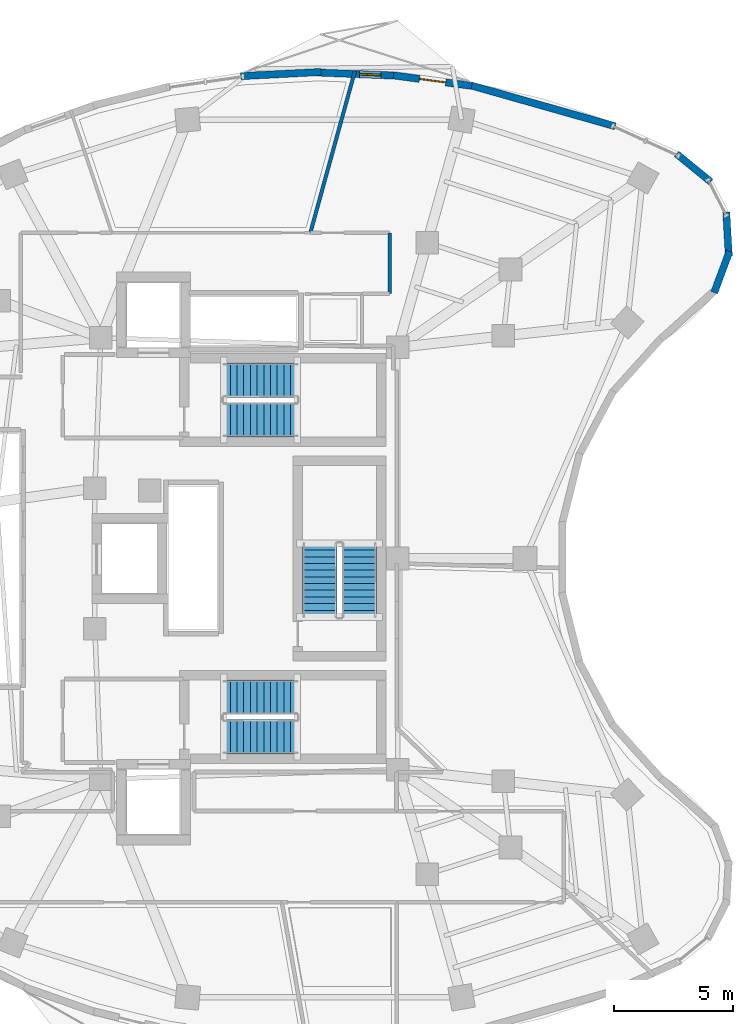
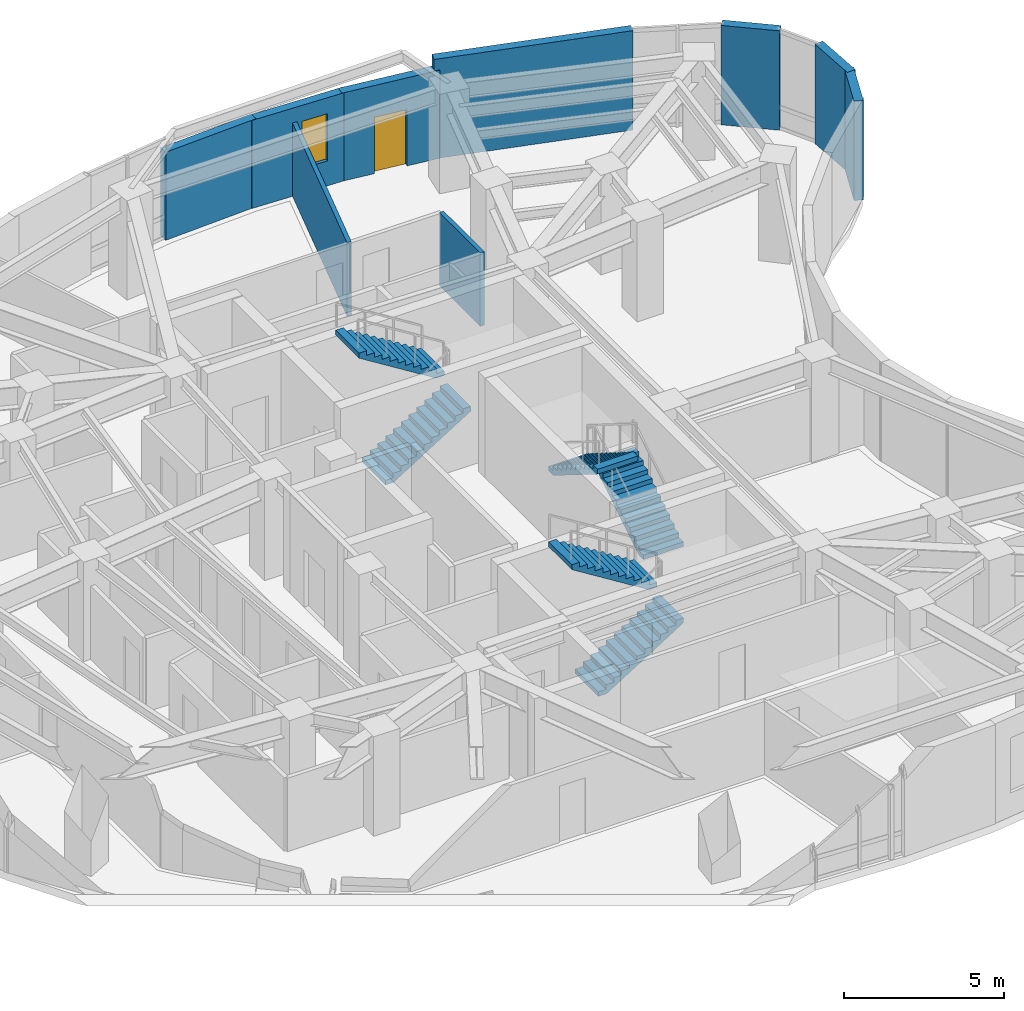
# One storey, part 10 of 13: 9 walls, 6 stair flights, 1 door, 1 window, 2 openings, 3 elements without a shape of their own.
"""IFC4 building model written with IfcOpenShell, lengths in metres."""

from ifc_helpers import new_model, si_unit, direction, frame, frame_2d, origin, place, context, subcontext, project, spatial, polyline, rectangle, outline, extrude, material, layer, layer_set, type_object, element, fill, aggregate, save


model = new_model("IFC4")

# Units and contexts
model_context = context("Model", 3, precision=1e-05, world=origin(), true_north=direction((0.0, 1.0)))
body_context = subcontext(model_context, "Body", "Model", "MODEL_VIEW")
ifc_project = project(units=[si_unit("LENGTHUNIT", "METRE"), si_unit("AREAUNIT", "SQUARE_METRE"), si_unit("VOLUMEUNIT", "CUBIC_METRE"), si_unit("PLANEANGLEUNIT", "RADIAN"), si_unit("MASSUNIT", "GRAM", prefix="KILO")], contexts=[model_context])

# Site, building, storey
site_placement = place(None, origin())
site = spatial("IfcSite", under=ifc_project, at=site_placement, CompositionType="ELEMENT")
building_placement = place(site_placement, origin())
building = spatial("IfcBuilding", under=site, at=building_placement, Name="Korentha Bioscience Tower", CompositionType="ELEMENT")
storey_placement = place(building_placement, frame((0.0, 0.0, 162.60009765625)))
storey = spatial("IfcBuildingStorey", under=building, at=storey_placement, Name="L37", CompositionType="ELEMENT", Elevation=162.60009765625)

# Walls
ifc_material_1 = material(Name="Double-Stud Acoustic Gypsum", Category="gypsum")
ifc_layer_1 = layer(ifc_material_1, 0.14990234375, Name="Double-Stud Acoustic Gypsum")
ifc_layer_set_1 = layer_set([ifc_layer_1], Name="Double-Stud Acoustic Gypsum (IW-L150)")
wall_type_1 = type_object("IfcWallType", Name="Acoustic Laboratory Partition Wall 150", PredefinedType="PARTITIONING", material=ifc_layer_set_1)
wall_1_placement = place(storey_placement, frame((37.2099609375, 38.10009765625, 0.0), z_axis=(0.0, 0.0, 1.0), x_axis=(0.0, 1.0, 0.0)))
element("IfcWall", 1, at=wall_1_placement, inside=storey, type_object=wall_type_1, Name="L37 Interior Partition 058", PredefinedType="PARTITIONING", context=body_context, shape_type="SweptSolid", body=[
    extrude(rectangle(XDim=2.5498046875, YDim=0.14990234375, at=frame_2d((1.27490234375, 0.0))), origin(), (0.0, 0.0, 1.0), 2.7998046875),
])
wall_2_placement = place(storey_placement, frame((33.885009765625, 40.659912109375, 0.0), z_axis=(0.0, 0.0, 1.0), x_axis=(0.26554760057, 0.964097750143, 0.0)))
element("IfcWall", 2, at=wall_2_placement, inside=storey, type_object=wall_type_1, Name="L37 Interior Partition 059", PredefinedType="PARTITIONING", context=body_context, shape_type="SweptSolid", body=[
    extrude(rectangle(XDim=7.0361328125, YDim=0.14990234375, at=frame_2d((3.51806640625, 0.0))), origin(), (0.0, 0.0, 1.0), 2.7998046875),
])

# Wall, opening, door
ifc_material_2 = material(Name="Honed Limestone Precast Concrete C40", Category="masonry")
ifc_layer_2 = layer(ifc_material_2, 0.300048828125, Name="Honed Limestone Precast Concrete C40")
ifc_layer_set_2 = layer_set([ifc_layer_2], Name="Honed Limestone Precast Concrete C40 (EW-ST300)")
wall_type_2 = type_object("IfcWallType", Name="Honed Limestone Cavity Spandrel Wall 300", PredefinedType="STANDARD", material=ifc_layer_set_2)
wall_3_placement = place(storey_placement, frame((40.646484375, 46.81201171875, 0.0), z_axis=(0.0, 0.0, 1.0), x_axis=(-0.991139436205, 0.132825517122, 0.0)))
wall_3 = element("IfcWall", 3, at=wall_3_placement, inside=storey, type_object=wall_type_2, Name="L37 Balcony Threshold Wall 01", PredefinedType="STANDARD", context=body_context, shape_type="SweptSolid", body=[
    extrude(rectangle(XDim=3.310302734375, YDim=0.300048828125, at=frame_2d((1.6552734375, 0.0))), origin(), (0.0, 0.0, 1.0), 3.35986328125),
])
opening_1_placement = place(wall_3_placement, frame((1.105224609375, 0.0, 0.0)))
opening_1 = element("IfcOpeningElement", 4, at=opening_1_placement, cuts=wall_3, Name="Opening BD-11L", PredefinedType="OPENING", context=body_context, shape_type="SweptSolid", body=[
    extrude(rectangle(XDim=1.10009765625, YDim=2.14990234375, at=frame_2d((0.550048828125, 1.074951171875))), frame((0.0, 0.1650390625, 0.0), z_axis=(0.0, -1.0, 0.0), x_axis=(1.0, 0.0, 0.0)), (0.0, 0.0, 1.0), 0.329833984375),
])
ifc_material_3 = material(Name="Thermally Broken Glazed Aluminium", Category="aluminium")
door_type = type_object("IfcDoorType", Name="Balcony Terrace Glazed Door 1100x2150 Left", OperationType="SINGLE_SWING_LEFT", PredefinedType="DOOR", material=ifc_material_3)
door_placement = place(opening_1_placement, origin())
door = element("IfcDoor", 5, at=door_placement, inside=storey, type_object=door_type, Name="L37 Balcony Access Door 01", OperationType="SINGLE_SWING_LEFT", OverallHeight=2.14990234375, OverallWidth=1.10009765625, PredefinedType="DOOR", context=body_context, shape_type="SweptSolid", body=[
    extrude(rectangle(XDim=1.10009765625, YDim=2.14990234375, at=frame_2d((0.550048828125, 1.074951171875))), frame((0.0, 0.02490234375, 0.0), z_axis=(0.0, -1.0, 0.0), x_axis=(1.0, 0.0, 0.0)), (0.0, 0.0, 1.0), 0.050048828125),
])
fill(opening_1, door)

# Wall, opening, window
wall_4_placement = place(storey_placement, frame((37.499755859375, 47.239990234375, 0.0), z_axis=(0.0, 0.0, 1.0), x_axis=(-0.999191674443, 0.040199474165, 0.0)))
wall_4 = element("IfcWall", 6, at=wall_4_placement, inside=storey, type_object=wall_type_2, Name="L37 Honed Limestone Spandrel Wall 05", PredefinedType="STANDARD", context=body_context, shape_type="SweptSolid", body=[
    extrude(rectangle(XDim=3.328125, YDim=0.300048828125, at=frame_2d((1.6640625, 0.0))), origin(), (0.0, 0.0, 1.0), 3.35986328125),
])
opening_2_placement = place(wall_4_placement, frame((0.6533203125, 0.0, 0.949951171875)))
opening_2 = element("IfcOpeningElement", 7, at=opening_2_placement, cuts=wall_4, Name="Opening WN-05", PredefinedType="OPENING", context=body_context, shape_type="SweptSolid", body=[
    extrude(rectangle(XDim=0.89990234375, YDim=1.800048828125, at=frame_2d((0.449951171875, 0.89990234375))), frame((0.0, 0.1650390625, 0.0), z_axis=(0.0, -1.0, 0.0), x_axis=(1.0, 0.0, 0.0)), (0.0, 0.0, 1.0), 0.329833984375),
])
ifc_material_4 = material(Name="Thermally Broken Aluminium Triple Glazing", Category="aluminium")
window_type = type_object("IfcWindowType", Name="Narrow Bioscience Pier Window 900x1800", PartitioningType="SINGLE_PANEL", PredefinedType="WINDOW", material=ifc_material_4)
window_placement = place(opening_2_placement, origin())
window = element("IfcWindow", 8, at=window_placement, inside=storey, type_object=window_type, Name="L37 Facade Window 05", OverallHeight=1.800048828125, OverallWidth=0.89990234375, PartitioningType="SINGLE_PANEL", PredefinedType="WINDOW", context=body_context, shape_type="SweptSolid", body=[
    extrude(rectangle(XDim=0.89990234375, YDim=1.800048828125, at=frame_2d((0.449951171875, 0.89990234375))), frame((0.0, 0.030029296875, 0.0), z_axis=(0.0, -1.0, 0.0), x_axis=(1.0, 0.0, 0.0)), (0.0, 0.0, 1.0), 0.06005859375),
])
fill(opening_2, window)

# Walls
wall_5_placement = place(storey_placement, frame((46.659912109375, 45.119384765625, 0.0), z_axis=(0.0, 0.0, 1.0), x_axis=(-0.962163849422, 0.272471515694, 0.0)))
element("IfcWall", 9, at=wall_5_placement, inside=storey, type_object=wall_type_2, Name="L37 Limestone Perimeter Closure Wall 02", PredefinedType="STANDARD", context=body_context, shape_type="SweptSolid", body=[
    extrude(rectangle(XDim=6.4091796875, YDim=0.300048828125, at=frame_2d((3.20458984375, 0.0))), origin(), (0.0, 0.0, 1.0), 3.789794921875),
])
wall_6_placement = place(storey_placement, frame((34.327880859375, 47.395751953125, 0.0), z_axis=(0.0, 0.0, 1.0), x_axis=(-0.998639777298, -0.052140149581, 0.0)))
element("IfcWall", 10, at=wall_6_placement, inside=storey, type_object=wall_type_2, Name="L37 Limestone Perimeter Closure Wall 06", PredefinedType="STANDARD", context=body_context, shape_type="SweptSolid", body=[
    extrude(rectangle(XDim=3.36669921875, YDim=0.300048828125, at=frame_2d((1.683349609375, 0.0))), origin(), (0.0, 0.0, 1.0), 3.35986328125),
])
for number, where, z_axis, x_axis, name in (
    (11, (50.811279296875, 38.143310546875, 0.0), (0.0, 0.0, 1.0), (0.348984166898, 0.937128620443, 0.0), "L37 Limestone Perimeter Closure Wall 59"),
    (12, (51.425537109375, 39.6669921875, 0.0), (0.0, 0.0, 1.0), (-0.057485341891, 0.998346350455, 0.0), "L37 Limestone Perimeter Closure Wall 60"),
    (13, (50.668212890625, 42.7919921875, 0.0), (0.0, 0.0, 1.0), (-0.774174596654, 0.632972111467, 0.0), "L37 Limestone Perimeter Closure Wall 62"),
):
    element("IfcWall", number, at=place(storey_placement, frame(where, z_axis=z_axis, x_axis=x_axis)), inside=storey, type_object=wall_type_2, Name=name, PredefinedType="STANDARD", context=body_context, shape_type="SweptSolid", body=[
        extrude(rectangle(XDim=1.851806640625, YDim=0.300048828125, at=frame_2d((0.92578125, 0.0))), origin(), (0.0, 0.0, 1.0), 3.789794921875),
    ])

# Stair, stair flights
ifc_material_5 = material(Name="Precast Concrete C50", Category="concrete")
stair_type = type_object("IfcStairType", Name="Core Exit Dog-Leg Stair 1450", PredefinedType="HALF_TURN_STAIR", material=ifc_material_5)
stair_1_placement = place(storey_placement, origin())
stair_1 = element("IfcStair", 14, at=stair_1_placement, inside=storey, type_object=stair_type, Name="L37 Tower North Pressurized Exit Stair ST-1", PredefinedType="HALF_TURN_STAIR")
stair_flight_type = type_object("IfcStairFlightType", Name="Core Exit Dog-Leg Stair 1450 Flight", PredefinedType="STRAIGHT", material=ifc_material_5)
stair_flight_1_placement = place(storey_placement, frame((30.25, 32.824951171875, 0.0), z_axis=(0.0, 0.0, 1.0), x_axis=(1.0, 0.0, 0.0)))
stair_flight_1 = element("IfcStairFlight", 15, at=stair_flight_1_placement, type_object=stair_flight_type, Name="ST-1 flight 1", NumberOfRisers=12, NumberOfTreads=11, PredefinedType="STRAIGHT", RiserHeight=0.175, TreadLength=0.28, context=body_context, shape_type="SweptSolid", body=[
    extrude(outline(polyline([(0.0, 0.0), (0.0, 0.175048828125), (0.280029296875, 0.175048828125), (0.280029296875, 0.35009765625), (0.56005859375, 0.35009765625), (0.56005859375, 0.52490234375), (0.840087890625, 0.52490234375), (0.840087890625, 0.699951171875), (1.1201171875, 0.699951171875), (1.1201171875, 0.875), (1.39990234375, 0.875), (1.39990234375, 1.050048828125), (1.679931640625, 1.050048828125), (1.679931640625, 1.22509765625), (1.9599609375, 1.22509765625), (1.9599609375, 1.39990234375), (2.239990234375, 1.39990234375), (2.239990234375, 1.574951171875), (2.52001953125, 1.574951171875), (2.52001953125, 1.75), (2.800048828125, 1.75), (2.800048828125, 1.925048828125), (3.080078125, 1.925048828125), (3.080078125, 2.10009765625), (3.080078125, 1.736328125), (0.3017578125, 0.0), (0.0, 0.0)])), frame((0.0, 0.72509765625, 0.0), z_axis=(0.0, -1.0, 0.0), x_axis=(1.0, 0.0, 0.0)), (0.0, 0.0, 1.0), 1.449951171875),
])
stair_flight_2_placement = place(storey_placement, frame((33.330078125, 34.47509765625, 2.099853515625), z_axis=(0.0, 0.0, 1.0), x_axis=(-1.0, 0.0, 0.0)))
stair_flight_2 = element("IfcStairFlight", 16, at=stair_flight_2_placement, type_object=stair_flight_type, Name="ST-1 flight 2", NumberOfRisers=12, NumberOfTreads=11, PredefinedType="STRAIGHT", RiserHeight=0.175, TreadLength=0.28, context=body_context, shape_type="SweptSolid", body=[
    extrude(outline(polyline([(0.0, 0.0), (0.0, 0.175048828125), (0.280029296875, 0.175048828125), (0.280029296875, 0.35009765625), (0.56005859375, 0.35009765625), (0.56005859375, 0.52490234375), (0.840087890625, 0.52490234375), (0.840087890625, 0.699951171875), (1.1201171875, 0.699951171875), (1.1201171875, 0.875), (1.39990234375, 0.875), (1.39990234375, 1.050048828125), (1.679931640625, 1.050048828125), (1.679931640625, 1.22509765625), (1.9599609375, 1.22509765625), (1.9599609375, 1.39990234375), (2.239990234375, 1.39990234375), (2.239990234375, 1.574951171875), (2.52001953125, 1.574951171875), (2.52001953125, 1.75), (2.800048828125, 1.75), (2.800048828125, 1.925048828125), (3.080078125, 1.925048828125), (3.080078125, 2.10009765625), (3.080078125, 1.736328125), (0.3017578125, 0.0), (0.0, 0.0)])), frame((0.0, 0.72509765625, 0.0), z_axis=(0.0, -1.0, 0.0), x_axis=(1.0, 0.0, 0.0)), (0.0, 0.0, 1.0), 1.449951171875),
])
aggregate(stair_1, [stair_flight_1, stair_flight_2])

stair_2_placement = place(storey_placement, origin())
stair_2 = element("IfcStair", 17, at=stair_2_placement, inside=storey, type_object=stair_type, Name="L37 Tower South Pressurized Exit Stair ST-2", PredefinedType="HALF_TURN_STAIR")
stair_flight_3_placement = place(storey_placement, frame((30.25, 19.52490234375, 0.0), z_axis=(0.0, 0.0, 1.0), x_axis=(1.0, 0.0, 0.0)))
stair_flight_3 = element("IfcStairFlight", 18, at=stair_flight_3_placement, type_object=stair_flight_type, Name="ST-2 flight 1", NumberOfRisers=12, NumberOfTreads=11, PredefinedType="STRAIGHT", RiserHeight=0.175, TreadLength=0.28, context=body_context, shape_type="SweptSolid", body=[
    extrude(outline(polyline([(0.0, 0.0), (0.0, 0.175048828125), (0.280029296875, 0.175048828125), (0.280029296875, 0.35009765625), (0.56005859375, 0.35009765625), (0.56005859375, 0.52490234375), (0.840087890625, 0.52490234375), (0.840087890625, 0.699951171875), (1.1201171875, 0.699951171875), (1.1201171875, 0.875), (1.39990234375, 0.875), (1.39990234375, 1.050048828125), (1.679931640625, 1.050048828125), (1.679931640625, 1.22509765625), (1.9599609375, 1.22509765625), (1.9599609375, 1.39990234375), (2.239990234375, 1.39990234375), (2.239990234375, 1.574951171875), (2.52001953125, 1.574951171875), (2.52001953125, 1.75), (2.800048828125, 1.75), (2.800048828125, 1.925048828125), (3.080078125, 1.925048828125), (3.080078125, 2.10009765625), (3.080078125, 1.736328125), (0.3017578125, 0.0), (0.0, 0.0)])), frame((0.0, 0.72509765625, 0.0), z_axis=(0.0, -1.0, 0.0), x_axis=(1.0, 0.0, 0.0)), (0.0, 0.0, 1.0), 1.449951171875),
])
stair_flight_4_placement = place(storey_placement, frame((33.330078125, 21.175048828125, 2.099853515625), z_axis=(0.0, 0.0, 1.0), x_axis=(-1.0, 0.0, 0.0)))
stair_flight_4 = element("IfcStairFlight", 19, at=stair_flight_4_placement, type_object=stair_flight_type, Name="ST-2 flight 2", NumberOfRisers=12, NumberOfTreads=11, PredefinedType="STRAIGHT", RiserHeight=0.175, TreadLength=0.28, context=body_context, shape_type="SweptSolid", body=[
    extrude(outline(polyline([(0.0, 0.0), (0.0, 0.175048828125), (0.280029296875, 0.175048828125), (0.280029296875, 0.35009765625), (0.56005859375, 0.35009765625), (0.56005859375, 0.52490234375), (0.840087890625, 0.52490234375), (0.840087890625, 0.699951171875), (1.1201171875, 0.699951171875), (1.1201171875, 0.875), (1.39990234375, 0.875), (1.39990234375, 1.050048828125), (1.679931640625, 1.050048828125), (1.679931640625, 1.22509765625), (1.9599609375, 1.22509765625), (1.9599609375, 1.39990234375), (2.239990234375, 1.39990234375), (2.239990234375, 1.574951171875), (2.52001953125, 1.574951171875), (2.52001953125, 1.75), (2.800048828125, 1.75), (2.800048828125, 1.925048828125), (3.080078125, 1.925048828125), (3.080078125, 2.10009765625), (3.080078125, 1.736328125), (0.3017578125, 0.0), (0.0, 0.0)])), frame((0.0, 0.72509765625, 0.0), z_axis=(0.0, -1.0, 0.0), x_axis=(1.0, 0.0, 0.0)), (0.0, 0.0, 1.0), 1.449951171875),
])
aggregate(stair_2, [stair_flight_3, stair_flight_4])

stair_3_placement = place(storey_placement, origin())
stair_3 = element("IfcStair", 20, at=stair_3_placement, inside=storey, type_object=stair_type, Name="L37 Tower Central Pressurized Exit Stair ST-3", PredefinedType="HALF_TURN_STAIR")
stair_flight_5_placement = place(storey_placement, frame((35.925048828125, 24.550048828125, 0.0), z_axis=(0.0, 0.0, 1.0), x_axis=(0.0, 1.0, 0.0)))
stair_flight_5 = element("IfcStairFlight", 21, at=stair_flight_5_placement, type_object=stair_flight_type, Name="ST-3 flight 1", NumberOfRisers=12, NumberOfTreads=11, PredefinedType="STRAIGHT", RiserHeight=0.175, TreadLength=0.28, context=body_context, shape_type="SweptSolid", body=[
    extrude(outline(polyline([(0.0, 0.0), (0.0, 0.175048828125), (0.280029296875, 0.175048828125), (0.280029296875, 0.35009765625), (0.56005859375, 0.35009765625), (0.56005859375, 0.52490234375), (0.840087890625, 0.52490234375), (0.840087890625, 0.699951171875), (1.1201171875, 0.699951171875), (1.1201171875, 0.875), (1.39990234375, 0.875), (1.39990234375, 1.050048828125), (1.679931640625, 1.050048828125), (1.679931640625, 1.22509765625), (1.9599609375, 1.22509765625), (1.9599609375, 1.39990234375), (2.239990234375, 1.39990234375), (2.239990234375, 1.574951171875), (2.52001953125, 1.574951171875), (2.52001953125, 1.75), (2.800048828125, 1.75), (2.800048828125, 1.925048828125), (3.080078125, 1.925048828125), (3.080078125, 2.10009765625), (3.080078125, 1.736328125), (0.3017578125, 0.0), (0.0, 0.0)])), frame((0.0, 0.72509765625, 0.0), z_axis=(0.0, -1.0, 0.0), x_axis=(1.0, 0.0, 0.0)), (0.0, 0.0, 1.0), 1.449951171875),
])
stair_flight_6_placement = place(storey_placement, frame((34.27490234375, 27.6298828125, 2.099853515625), z_axis=(0.0, 0.0, 1.0), x_axis=(0.0, -1.0, 0.0)))
stair_flight_6 = element("IfcStairFlight", 22, at=stair_flight_6_placement, type_object=stair_flight_type, Name="ST-3 flight 2", NumberOfRisers=12, NumberOfTreads=11, PredefinedType="STRAIGHT", RiserHeight=0.175, TreadLength=0.28, context=body_context, shape_type="SweptSolid", body=[
    extrude(outline(polyline([(0.0, 0.0), (0.0, 0.175048828125), (0.280029296875, 0.175048828125), (0.280029296875, 0.35009765625), (0.56005859375, 0.35009765625), (0.56005859375, 0.52490234375), (0.840087890625, 0.52490234375), (0.840087890625, 0.699951171875), (1.1201171875, 0.699951171875), (1.1201171875, 0.875), (1.39990234375, 0.875), (1.39990234375, 1.050048828125), (1.679931640625, 1.050048828125), (1.679931640625, 1.22509765625), (1.9599609375, 1.22509765625), (1.9599609375, 1.39990234375), (2.239990234375, 1.39990234375), (2.239990234375, 1.574951171875), (2.52001953125, 1.574951171875), (2.52001953125, 1.75), (2.800048828125, 1.75), (2.800048828125, 1.925048828125), (3.080078125, 1.925048828125), (3.080078125, 2.10009765625), (3.080078125, 1.736328125), (0.3017578125, 0.0), (0.0, 0.0)])), frame((0.0, 0.72509765625, 0.0), z_axis=(0.0, -1.0, 0.0), x_axis=(1.0, 0.0, 0.0)), (0.0, 0.0, 1.0), 1.449951171875),
])
aggregate(stair_3, [stair_flight_5, stair_flight_6])

save(model, "model.ifc")
